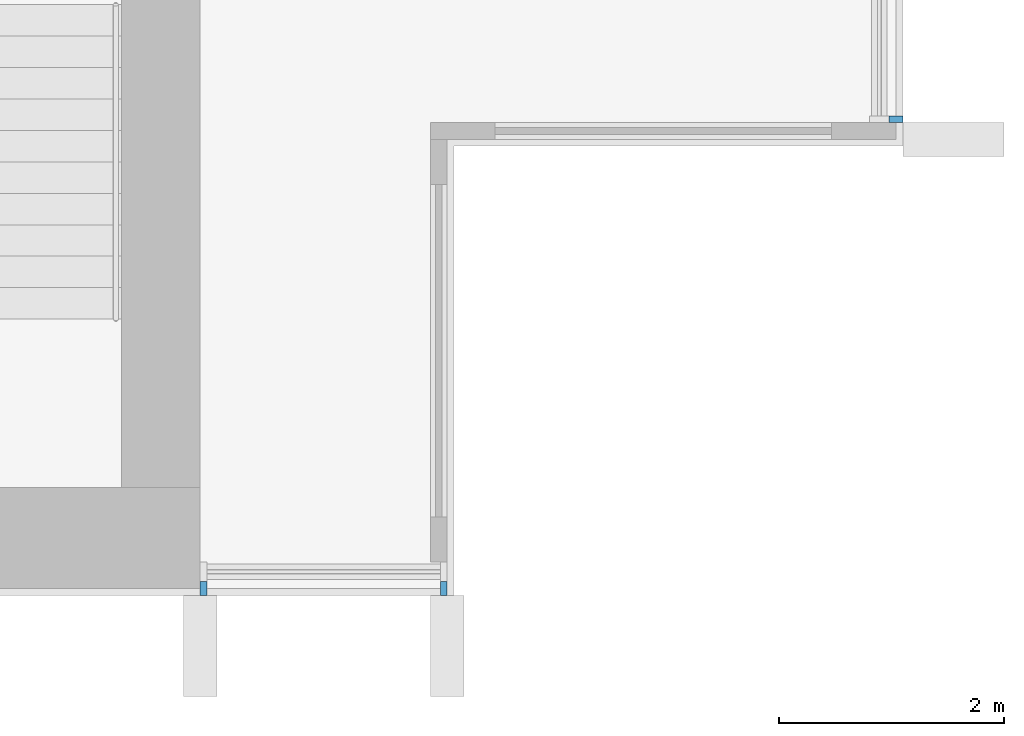
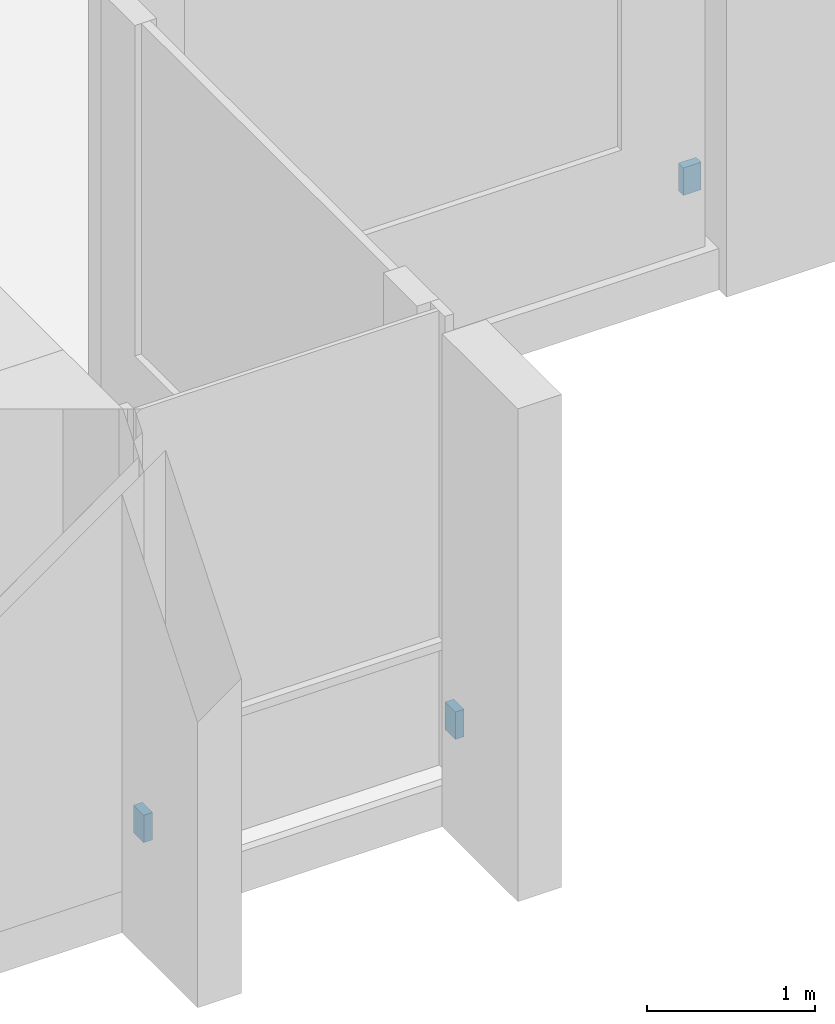
# One storey, part 13 of 16: 3 discrete accessories.
"""IFC4 building model written with IfcOpenShell, lengths in metres."""

import ifcopenshell
import ifcopenshell.guid

model = None  # the IFC model being written
_history = None  # IfcOwnerHistory: only IFC2X3 demands one
_inside = {}  # id of a spatial element -> (the spatial element, [elements in it])
_under = {}  # id of a project, library or spatial element -> (it, [spatial elements below it])
_declared = {}  # id of a project -> (the project, [libraries it declares])
_typed = {}  # id of a type object -> (the type object, [elements of that type])
_made_of = {}  # id of a material, layer set ... -> (it, [elements and type objects made of it])


def new_model(schema):
    """Start an empty IFC model of exactly this schema.

    Asked for "IFC4X3", IfcOpenShell would pick the latest addendum, in which some entities
    have other attributes; the version numbers below select the first issue.
    IFC2X3 requires an IfcOwnerHistory on every rooted entity: one is made here for all.
    """
    global model, _history
    if schema == "IFC4X3":
        model = ifcopenshell.file(schema_version=(4, 3, 0, 0))
    else:
        model = ifcopenshell.file(schema=schema)
    _inside.clear()
    _under.clear()
    _declared.clear()
    _typed.clear()
    _made_of.clear()
    _history = None
    if model.schema == "IFC2X3":
        org = make("IfcOrganization", Name="unknown")
        user = make(
            "IfcPersonAndOrganization",
            ThePerson=make("IfcPerson", FamilyName="unknown"),
            TheOrganization=org,
        )
        app = make(
            "IfcApplication",
            ApplicationDeveloper=org,
            Version="unknown",
            ApplicationFullName="unknown",
            ApplicationIdentifier="unknown",
        )
        _history = make(
            "IfcOwnerHistory",
            OwningUser=user,
            OwningApplication=app,
            ChangeAction="ADDED",
            CreationDate=0,
        )
    return model


def make(cls, **values):
    """One entity of the class cls with the attributes given. An attribute that is None is left unset."""
    return model.create_entity(
        cls, **{name: value for name, value in values.items() if value is not None}
    )


def rooted(cls, **values):
    """An entity with a GlobalId (a new one), such as an element, a storey or a relation."""
    return make(cls, GlobalId=ifcopenshell.guid.new(), OwnerHistory=_history, **values)


def si_unit(unit_type, name, prefix=None):
    """IfcSIUnit, for example si_unit("LENGTHUNIT", "METRE", prefix="MILLI")."""
    return make("IfcSIUnit", UnitType=unit_type, Prefix=prefix, Name=name)


def assignment(units):
    """IfcUnitAssignment: the units of a project."""
    return None if units is None else make("IfcUnitAssignment", Units=units)


def point(xyz):
    """IfcCartesianPoint."""
    return None if xyz is None else make("IfcCartesianPoint", Coordinates=xyz)


def direction(xyz):
    """IfcDirection."""
    return None if xyz is None else make("IfcDirection", DirectionRatios=xyz)


def frame(location, z_axis=None, x_axis=None):
    """IfcAxis2Placement3D, a coordinate frame: its origin and axes. An axis left out is left unset."""
    return make(
        "IfcAxis2Placement3D",
        Location=point(location),
        Axis=direction(z_axis),
        RefDirection=direction(x_axis),
    )


def frame_2d(location, x_axis=None):
    """IfcAxis2Placement2D, a coordinate frame in the plane: its origin and x axis."""
    return make(
        "IfcAxis2Placement2D", Location=point(location), RefDirection=direction(x_axis)
    )


def origin():
    """The frame at (0, 0, 0) with its axes left unset."""
    return frame((0.0, 0.0, 0.0))


def origin_2d():
    """The frame at (0, 0) in the plane with its x axis left unset."""
    return frame_2d((0.0, 0.0))


def place(relative_to, where):
    """IfcLocalPlacement: puts the frame where relative to a parent placement (None: the world)."""
    return make(
        "IfcLocalPlacement", PlacementRelTo=relative_to, RelativePlacement=where
    )


def context(
    kind, dimensions, precision=None, world=None, true_north=None, identifier=None
):
    """IfcGeometricRepresentationContext, for example the 3D "Model" context."""
    return make(
        "IfcGeometricRepresentationContext",
        ContextIdentifier=identifier,
        ContextType=kind,
        CoordinateSpaceDimension=dimensions,
        Precision=precision,
        WorldCoordinateSystem=world,
        TrueNorth=true_north,
    )


def subcontext(parent, identifier, kind, view, scale=None):
    """IfcGeometricRepresentationSubContext, for example "Body" below "Model"."""
    return make(
        "IfcGeometricRepresentationSubContext",
        ContextIdentifier=identifier,
        ContextType=kind,
        ParentContext=parent,
        TargetScale=scale,
        TargetView=view,
    )


def project(units=None, contexts=None):
    """IfcProject with its units and contexts."""
    return rooted(
        "IfcProject",
        Name="project",
        RepresentationContexts=contexts,
        UnitsInContext=assignment(units),
    )


def spatial(cls, under=None, at=None, **own):
    """A site, building, storey or space (cls), placed at a placement, below another one or the project."""
    s = rooted(cls, ObjectPlacement=at, **own)
    if under is not None:
        _under.setdefault(under.id(), (under, []))[1].append(s)
    return s


def profile(cls, at=None, kind="AREA", **sizes):
    """A parametric profile (cls). Its sizes go by their IFC names, for example OverallWidth=200.0."""
    return make(cls, ProfileType=kind, Position=at, **sizes)


def rectangle(**sizes):
    """IfcRectangleProfileDef."""
    return profile("IfcRectangleProfileDef", **sizes)


def extrude(swept, where, along, depth):
    """IfcExtrudedAreaSolid: the profile swept, set in the frame where, extruded along a direction by depth."""
    return make(
        "IfcExtrudedAreaSolid",
        SweptArea=swept,
        Position=where,
        ExtrudedDirection=direction(along),
        Depth=depth,
    )


def shape(context_of_items, identifier, shape_type, items):
    """IfcShapeRepresentation: the items that make up one representation, for example the "Body"."""
    return make(
        "IfcShapeRepresentation",
        ContextOfItems=context_of_items,
        RepresentationIdentifier=identifier,
        RepresentationType=shape_type,
        Items=items,
    )


def material(Name=None, Category=None):
    """IfcMaterial."""
    return make("IfcMaterial", Name=Name, Category=Category)


def made_of(thing, what):
    """Note that an element or type object is made of a material, layer set ...; save() writes the relation."""
    if what is not None:
        _made_of.setdefault(what.id(), (what, []))[1].append(thing)
    return thing


def type_object(cls, material=None, **own):
    """A type object (cls), such as IfcWallType, which elements share."""
    return made_of(rooted(cls, **own), material)


def element(
    cls,
    number,
    at=None,
    inside=None,
    cuts=None,
    type_object=None,
    material=None,
    context=None,
    identifier="Body",
    shape_type=None,
    held_by="IfcProductDefinitionShape",
    body=None,
    shapes=None,
    **own,
):
    """One element of the class cls, such as IfcWall. Its Tag is "e" and its number.

    at: its placement. inside: the storey or other place that contains it. cuts: it is an
    opening in that element (IfcRelVoidsElement). A single representation is given by context,
    identifier, shape_type and body (its items); several are given by shapes. held_by: the class
    of the entity that holds the representations. save() writes the other relations.
    """
    e = rooted(cls, Tag="e%d" % number, ObjectPlacement=at, **own)
    if body is not None:
        shapes = [shape(context, identifier, shape_type, body)]
    if shapes is not None:
        e.Representation = make(held_by, Representations=shapes)
    if inside is not None:
        _inside.setdefault(inside.id(), (inside, []))[1].append(e)
    if cuts is not None:
        rooted(
            "IfcRelVoidsElement", RelatingBuildingElement=cuts, RelatedOpeningElement=e
        )
    if type_object is not None:
        _typed.setdefault(type_object.id(), (type_object, []))[1].append(e)
    return made_of(e, material)


def aggregate(whole, parts):
    """IfcRelAggregates: a whole, such as a stair, and the parts it consists of."""
    return rooted("IfcRelAggregates", RelatingObject=whole, RelatedObjects=parts)


def save(model, path):
    """Write the relations noted so far, then the file.

    IfcRelAggregates (storeys below a building ...), IfcRelContainedInSpatialStructure (elements
    in a storey), IfcRelDefinesByType, IfcRelAssociatesMaterial and IfcRelDeclares: one each for
    every whole, place, type object, material and project.
    """
    for whole, parts in _under.values():
        aggregate(whole, parts)
    for where, things in _inside.values():
        rooted(
            "IfcRelContainedInSpatialStructure",
            RelatedElements=things,
            RelatingStructure=where,
        )
    for kind, things in _typed.values():
        rooted("IfcRelDefinesByType", RelatedObjects=things, RelatingType=kind)
    for what, things in _made_of.values():
        rooted("IfcRelAssociatesMaterial", RelatedObjects=things, RelatingMaterial=what)
    for by, libraries in _declared.values():
        rooted("IfcRelDeclares", RelatingContext=by, RelatedDefinitions=libraries)
    model.write(path)


model = new_model("IFC4")

# Units and contexts
model_context = context("Model", 3, precision=1e-05, world=origin(), true_north=direction((0.0, 1.0)))
body_context = subcontext(model_context, "Body", "Model", "MODEL_VIEW")
ifc_project = project(units=[si_unit("LENGTHUNIT", "METRE"), si_unit("AREAUNIT", "SQUARE_METRE"), si_unit("VOLUMEUNIT", "CUBIC_METRE"), si_unit("PLANEANGLEUNIT", "RADIAN"), si_unit("MASSUNIT", "GRAM", prefix="KILO")], contexts=[model_context])

# Site, building, storey
site_placement = place(None, origin())
site = spatial("IfcSite", under=ifc_project, at=site_placement, CompositionType="ELEMENT")
building_placement = place(site_placement, origin())
building = spatial("IfcBuilding", under=site, at=building_placement, Name="Finial Court Residences", CompositionType="ELEMENT")
storey_placement = place(building_placement, frame((0.0, 0.0, 178.10009765625)))
storey = spatial("IfcBuildingStorey", under=building, at=storey_placement, Name="L44", CompositionType="ELEMENT", Elevation=178.10009765625)

# Discrete accessories
ifc_material = material(Name="Stainless steel 316", Category="steel")
discrete_accessory_type = type_object("IfcDiscreteAccessoryType", Name="Fin bracket, stainless steel 60 x 122 x 200", PredefinedType="BRACKET", material=ifc_material)
discrete_accessory_placement = place(storey_placement, frame((19.498779296875, -21.320068359375, 0.2998046875), z_axis=(0.0, 0.0, 1.0), x_axis=(1.0, 0.0, 0.0)))
element("IfcDiscreteAccessory", 1, at=discrete_accessory_placement, inside=storey, type_object=discrete_accessory_type, Name="E-L44-FIN-E7-BRK", PredefinedType="BRACKET", context=body_context, shape_type="SweptSolid", body=[
    extrude(rectangle(XDim=0.12255859375, YDim=0.06005859375, at=origin_2d()), origin(), (0.0, 0.0, 1.0), 0.199951171875),
])
for number, where, z_axis, x_axis, name in (
    (2, (13.330078125, -25.498779296875, 0.2998046875), (0.0, 0.0, 1.0), (1.0, 0.0, 0.0), "E-L44-FIN-S20-BRK"),
    (3, (15.469970703125, -25.498779296875, 0.2998046875), (0.0, 0.0, 1.0), (1.0, 0.0, 0.0), "E-L44-FIN-S21-BRK"),
):
    element("IfcDiscreteAccessory", number, at=place(storey_placement, frame(where, z_axis=z_axis, x_axis=x_axis)), inside=storey, type_object=discrete_accessory_type, Name=name, PredefinedType="BRACKET", context=body_context, shape_type="SweptSolid", body=[
        extrude(rectangle(XDim=0.06005859375, YDim=0.12255859375, at=origin_2d()), origin(), (0.0, 0.0, 1.0), 0.199951171875),
    ])

save(model, "model.ifc")
